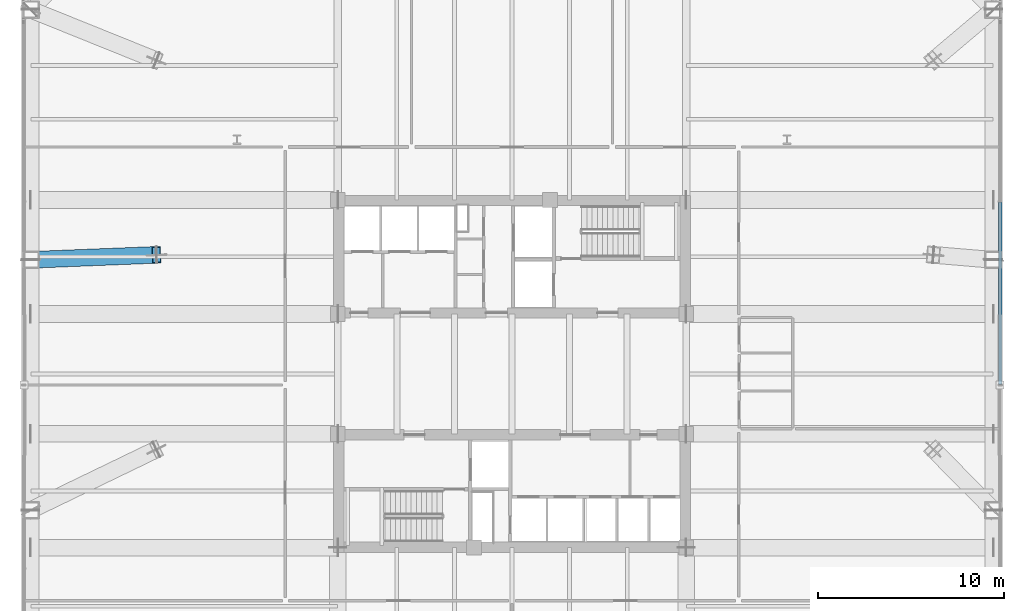
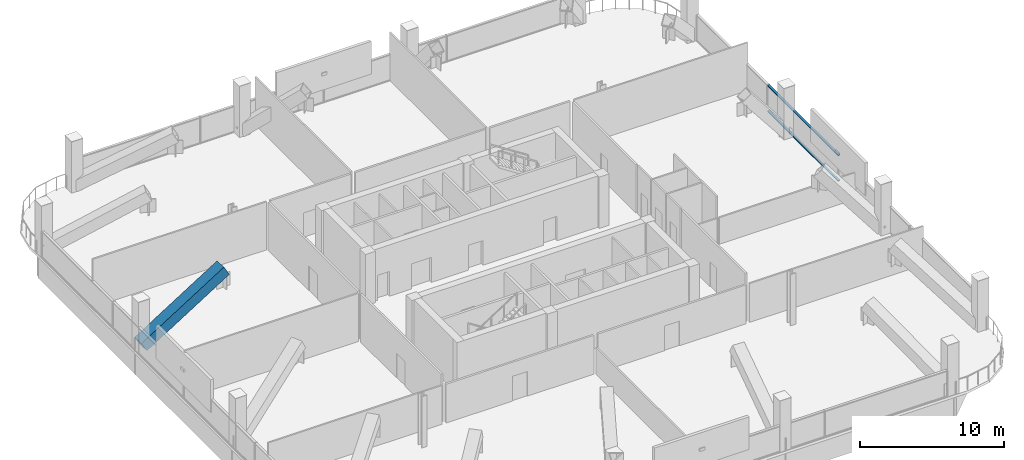
# One storey, part 15 of 38: 3 members, 1 element without a shape of its own.
"""IFC4 building model written with IfcOpenShell, lengths in metres."""

from ifc_helpers import new_model, si_unit, direction, frame, origin, origin_2d, place, context, subcontext, project, spatial, hollow_rectangle, extrude, material, layer, layer_set, material_profile, profile_set, type_object, element, aggregate, save


model = new_model("IFC4")

# Units and contexts
model_context = context("Model", 3, precision=1e-05, world=origin(), true_north=direction((0.0, 1.0)))
body_context = subcontext(model_context, "Body", "Model", "MODEL_VIEW")
ifc_project = project(units=[si_unit("LENGTHUNIT", "METRE"), si_unit("AREAUNIT", "SQUARE_METRE"), si_unit("VOLUMEUNIT", "CUBIC_METRE"), si_unit("PLANEANGLEUNIT", "RADIAN"), si_unit("MASSUNIT", "GRAM", prefix="KILO")], contexts=[model_context])

# Site, building, storey
site_placement = place(None, origin())
site = spatial("IfcSite", under=ifc_project, at=site_placement, CompositionType="ELEMENT")
building_placement = place(site_placement, origin())
building = spatial("IfcBuilding", under=site, at=building_placement, Name="Qhalaya Broadcast Tower", CompositionType="ELEMENT")
storey_placement = place(building_placement, frame((0.0, 0.0, 53.550048828125)))
storey = spatial("IfcBuildingStorey", under=building, at=storey_placement, Name="L15", CompositionType="ELEMENT", Elevation=53.550048828125)

# Member
ifc_material_1 = material(Name="Structural Steel ASTM A572 Grade 50", Category="steel")
ifc_material_profile_1 = material_profile(ifc_material_1, hollow_rectangle(XDim=0.89990234375, YDim=0.89990234375, WallThickness=0.054931640625, at=origin_2d()), Name="BOX 900x900x55")
ifc_profile_set_1 = profile_set([ifc_material_profile_1], Name="Structural Steel ASTM A572 Grade 50")
member_type_1 = type_object("IfcMemberType", Name="Heavy Exoskeleton Transfer Strut RK1", PredefinedType="BRACE", material=ifc_profile_set_1)
member_1_placement = place(storey_placement, frame((-25.89990234375, 6.7333984375, 0.398681640625), z_axis=(0.86315621715, 0.034426641766, 0.503761998498), x_axis=(-0.039852915472, 0.999205556994, 0.0)))
element("IfcMember", 1, at=member_1_placement, inside=storey, type_object=member_type_1, Name="L15 Inclined Exoskeleton Transfer Strut 14", PredefinedType="BRACE", context=body_context, shape_type="SweptSolid", body=[
    extrude(hollow_rectangle(XDim=0.89990234375, YDim=0.89990234375, WallThickness=0.054931640625, at=origin_2d()), origin(), (0.0, 0.0, 1.0), 7.84326171875),
])

# Curtain wall, members
ifc_material_2 = material(Name="Fired Architectural Terracotta", Category="masonry")
ifc_layer = layer(ifc_material_2, 0.219970703125, Name="Fired Architectural Terracotta")
ifc_layer_set = layer_set([ifc_layer], Name="Fired Architectural Terracotta")
curtain_wall_type = type_object("IfcCurtainWallType", Name="Block-Cap Unitised Terracotta Spandrel Wall CW-07", PredefinedType="NOTDEFINED", material=ifc_layer_set)
curtain_wall_placement = place(storey_placement, origin())
curtain_wall = element("IfcCurtainWall", 2, at=curtain_wall_placement, inside=storey, type_object=curtain_wall_type, Name="L15 Unitised Curtain Wall L15-CW-E", PredefinedType="NOTDEFINED")
ifc_material_3 = material(Name="Anodised Aluminium 6063-T6", Category="aluminium")
ifc_material_profile_2 = material_profile(ifc_material_3, hollow_rectangle(XDim=0.074951171875, YDim=0.179931640625, WallThickness=0.00390625, at=origin_2d()), Name="ALU-TRN 75x180x4")
ifc_profile_set_2 = profile_set([ifc_material_profile_2], Name="Anodised Aluminium 6063-T6")
member_type_2 = type_object("IfcMemberType", Name="Unitised Curtain-Wall Transom T01", PredefinedType="USERDEFINED", material=ifc_profile_set_2)
member_2_placement = place(storey_placement, frame((26.260009765625, 9.843505859375, 0.037353515625), z_axis=(0.0, -1.0, 0.0), x_axis=(0.0, 0.0, 1.0)))
member_2 = element("IfcMember", 3, at=member_2_placement, type_object=member_type_2, Name="CW-07 transom 2.1", ObjectType="TRANSOM", PredefinedType="USERDEFINED", context=body_context, shape_type="SweptSolid", body=[
    extrude(hollow_rectangle(XDim=0.074951171875, YDim=0.179931640625, WallThickness=0.00390625, at=origin_2d()), origin(), (0.0, 0.0, 1.0), 9.805908203125),
])
member_3_placement = place(storey_placement, frame((26.260009765625, 9.843505859375, 2.21240234375), z_axis=(0.0, -1.0, 0.0), x_axis=(0.0, 0.0, 1.0)))
member_3 = element("IfcMember", 4, at=member_3_placement, type_object=member_type_2, Name="CW-07 transom 2.2", ObjectType="TRANSOM", PredefinedType="USERDEFINED", context=body_context, shape_type="SweptSolid", body=[
    extrude(hollow_rectangle(XDim=0.074951171875, YDim=0.179931640625, WallThickness=0.00390625, at=origin_2d()), origin(), (0.0, 0.0, 1.0), 9.805908203125),
])
aggregate(curtain_wall, [member_2, member_3])

save(model, "model.ifc")
